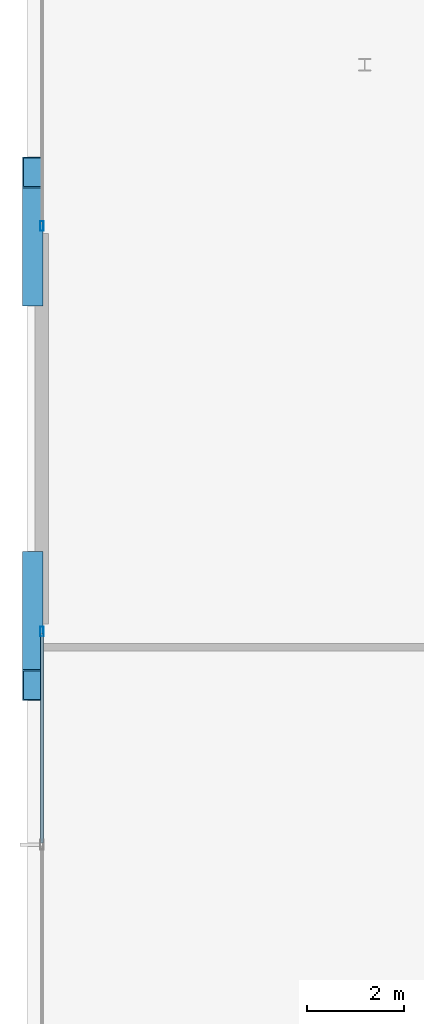
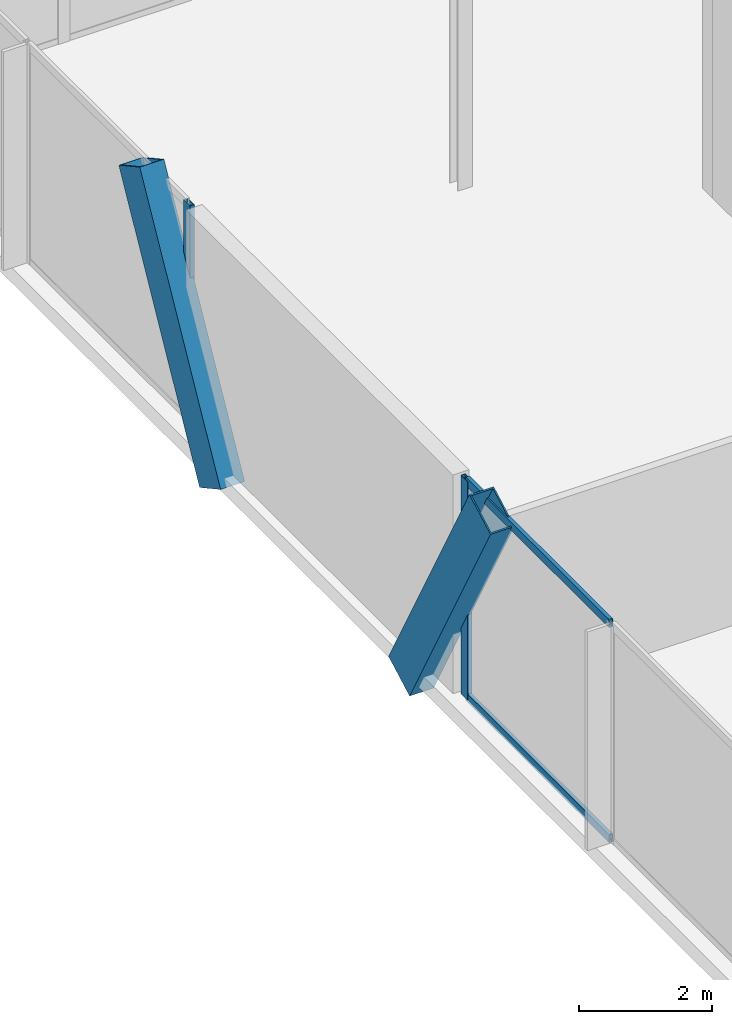
# One storey, part 23 of 42: 6 members, 2 elements without a shape of their own.
"""IFC4 building model written with IfcOpenShell, lengths in metres."""

from ifc_helpers import new_model, si_unit, direction, frame, origin, origin_2d, place, context, subcontext, project, spatial, hollow_rectangle, extrude, material, layer, layer_set, material_profile, profile_set, type_object, element, aggregate, save


model = new_model("IFC4")

# Units and contexts
model_context = context("Model", 3, precision=1e-05, world=origin(), true_north=direction((0.0, 1.0)))
body_context = subcontext(model_context, "Body", "Model", "MODEL_VIEW")
ifc_project = project(units=[si_unit("LENGTHUNIT", "METRE"), si_unit("AREAUNIT", "SQUARE_METRE"), si_unit("VOLUMEUNIT", "CUBIC_METRE"), si_unit("PLANEANGLEUNIT", "RADIAN"), si_unit("MASSUNIT", "GRAM", prefix="KILO")], contexts=[model_context])

# Site, building, storey
site_placement = place(None, origin())
site = spatial("IfcSite", under=ifc_project, at=site_placement, CompositionType="ELEMENT")
building_placement = place(site_placement, origin())
building = spatial("IfcBuilding", under=site, at=building_placement, Name="Orvanel Arch Residences", CompositionType="ELEMENT")
storey_placement = place(building_placement, frame((0.0, 0.0, 5.5)))
storey = spatial("IfcBuildingStorey", under=building, at=storey_placement, Name="L01", CompositionType="ELEMENT", Elevation=5.5)

# Members
ifc_material_1 = material(Name="Structural steel AS/NZS 3678 Grade 350", Category="steel")
ifc_material_profile_1 = material_profile(ifc_material_1, hollow_rectangle(XDim=0.419921875, YDim=0.719970703125, WallThickness=0.02490234375, at=origin_2d()), Name="RHS720x420x25")
ifc_profile_set_1 = profile_set([ifc_material_profile_1], Name="Structural steel AS/NZS 3678 Grade 350")
member_type_1 = type_object("IfcMemberType", Name="BR-720RHS-EXT", PredefinedType="BRACE", material=ifc_profile_set_1)
for number, where, z_axis, x_axis, name in (
    (1, (1.360107421875, 37.654052734375, -0.300048828125), (0.0, -0.480038670678, 0.877247328097), (1.0, 0.0, 0.0), "L01 Podium Multi-Storey V-Strut Pair W2 Leg 1"),
    (2, (1.360107421875, 43.345947265625, -0.300048828125), (0.0, 0.480038670678, 0.877247328097), (-1.0, 0.0, 0.0), "L01 Podium Multi-Storey V-Strut Pair W2 Leg 2"),
):
    element("IfcMember", number, at=place(storey_placement, frame(where, z_axis=z_axis, x_axis=x_axis)), inside=storey, type_object=member_type_1, Name=name, PredefinedType="BRACE", context=body_context, shape_type="SweptSolid", body=[
        extrude(hollow_rectangle(XDim=0.419921875, YDim=0.719970703125, WallThickness=0.02490234375, at=origin_2d()), origin(), (0.0, 0.0, 1.0), 5.072509765625),
    ])

# Curtain wall, member
ifc_material_2 = material(Name="Bronze-anodised aluminium AA6063-T6", Category="aluminium")
ifc_layer = layer(ifc_material_2, 0.199951171875)
ifc_layer_set = layer_set([ifc_layer], Name="Bronze-anodised aluminium AA6063-T6")
curtain_wall_type = type_object("IfcCurtainWallType", Name="CW1-POD-SYS", PredefinedType="NOTDEFINED", material=ifc_layer_set)
curtain_wall_1_placement = place(storey_placement, origin())
curtain_wall_1 = element("IfcCurtainWall", 3, at=curtain_wall_1_placement, inside=storey, type_object=curtain_wall_type, Name="L01 CW1-POD-SYS Unitised Curtain Wall", PredefinedType="NOTDEFINED")
ifc_material_profile_2 = material_profile(ifc_material_2, hollow_rectangle(XDim=0.074951171875, YDim=0.199951171875, WallThickness=0.0048828125, at=origin_2d()), Name="ALU200x75x5")
ifc_profile_set_2 = profile_set([ifc_material_profile_2], Name="Bronze-anodised aluminium AA6063-T6")
member_type_2 = type_object("IfcMemberType", Name="MUL-200x75", PredefinedType="MULLION", material=ifc_profile_set_2)
member_1_placement = place(storey_placement, frame((1.550048828125, 36.322509765625, 0.0), z_axis=(0.0, 0.0, 1.0), x_axis=(1.0, 0.0, 0.0)))
member_1 = element("IfcMember", 4, at=member_1_placement, type_object=member_type_2, Name="CW-S1 mullion 1", PredefinedType="MULLION", context=body_context, shape_type="SweptSolid", body=[
    extrude(hollow_rectangle(XDim=0.074951171875, YDim=0.199951171875, WallThickness=0.0048828125, at=origin_2d()), origin(), (0.0, 0.0, 1.0), 4.02001953125),
])

curtain_wall_2_placement = place(storey_placement, origin())
curtain_wall_2 = element("IfcCurtainWall", 5, at=curtain_wall_2_placement, inside=storey, type_object=curtain_wall_type, Name="L01 CW1-POD-SYS Unitised Curtain Wall", PredefinedType="NOTDEFINED")
member_2_placement = place(storey_placement, frame((1.550048828125, 44.677490234375, 0.0), z_axis=(0.0, 0.0, 1.0), x_axis=(1.0, 0.0, 0.0)))
member_2 = element("IfcMember", 6, at=member_2_placement, type_object=member_type_2, Name="CW-S1 mullion 3", PredefinedType="MULLION", context=body_context, shape_type="SweptSolid", body=[
    extrude(hollow_rectangle(XDim=0.074951171875, YDim=0.199951171875, WallThickness=0.0048828125, at=origin_2d()), origin(), (0.0, 0.0, 1.0), 4.02001953125),
])
aggregate(curtain_wall_2, [member_2])

# Member
ifc_material_profile_3 = material_profile(ifc_material_2, hollow_rectangle(XDim=0.06494140625, YDim=0.14990234375, WallThickness=0.00390625, at=origin_2d()), Name="ALU150x65x4")
ifc_profile_set_3 = profile_set([ifc_material_profile_3], Name="Bronze-anodised aluminium AA6063-T6")
member_type_3 = type_object("IfcMemberType", Name="TRN-150x65", PredefinedType="USERDEFINED", material=ifc_profile_set_3)
member_3_placement = place(storey_placement, frame((1.550048828125, 36.284912109375, 0.032470703125), z_axis=(0.0, -1.0, 0.0), x_axis=(1.0, 0.0, 0.0)))
member_3 = element("IfcMember", 7, at=member_3_placement, type_object=member_type_3, Name="CW-S1 transom 1.1", ObjectType="TRANSOM", PredefinedType="USERDEFINED", context=body_context, shape_type="SweptSolid", body=[
    extrude(hollow_rectangle(XDim=0.06494140625, YDim=0.14990234375, WallThickness=0.00390625, at=origin_2d()), origin(), (0.0, 0.0, 1.0), 4.3173828125),
])

member_4_placement = place(storey_placement, frame((1.550048828125, 36.284912109375, 3.987548828125), z_axis=(0.0, -1.0, 0.0), x_axis=(1.0, 0.0, 0.0)))
member_4 = element("IfcMember", 8, at=member_4_placement, type_object=member_type_3, Name="CW-S1 transom 1.2", ObjectType="TRANSOM", PredefinedType="USERDEFINED", context=body_context, shape_type="SweptSolid", body=[
    extrude(hollow_rectangle(XDim=0.06494140625, YDim=0.14990234375, WallThickness=0.00390625, at=origin_2d()), origin(), (0.0, 0.0, 1.0), 4.3173828125),
])

aggregate(curtain_wall_1, [member_1, member_3, member_4])

save(model, "model.ifc")
